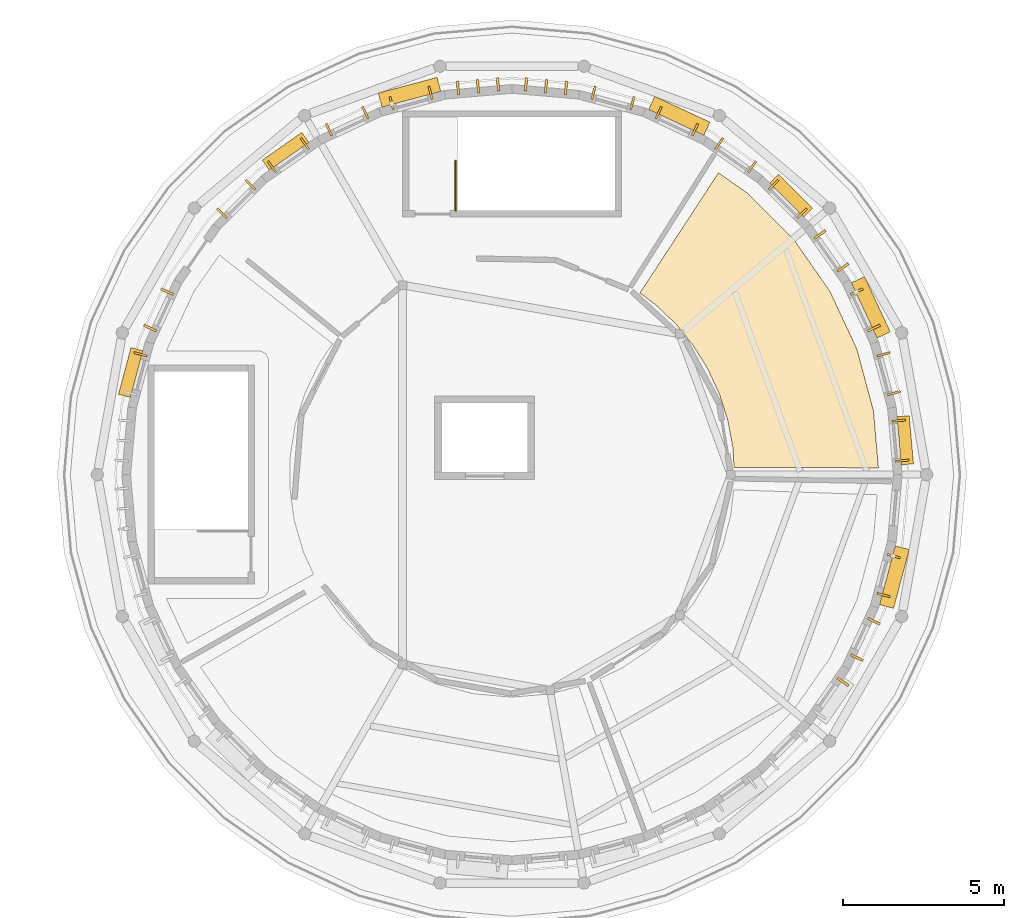
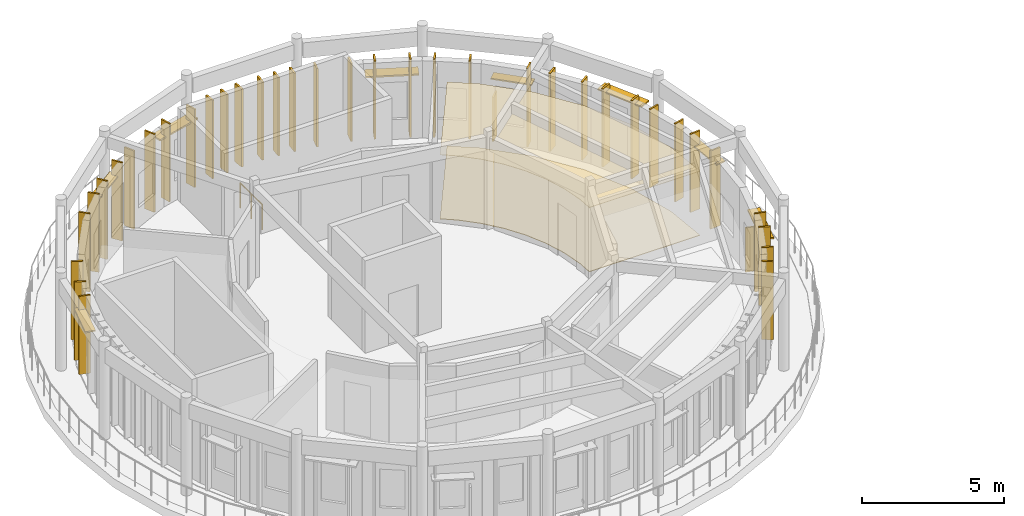
# One storey, part 14 of 14: 46 shading devices, 2 coverings, 1 railing.
"""IFC4 building model written with IfcOpenShell, lengths in metres."""

import ifcopenshell
import ifcopenshell.guid

model = None  # the IFC model being written
_history = None  # IfcOwnerHistory: only IFC2X3 demands one
_inside = {}  # id of a spatial element -> (the spatial element, [elements in it])
_under = {}  # id of a project, library or spatial element -> (it, [spatial elements below it])
_declared = {}  # id of a project -> (the project, [libraries it declares])
_typed = {}  # id of a type object -> (the type object, [elements of that type])
_made_of = {}  # id of a material, layer set ... -> (it, [elements and type objects made of it])


def new_model(schema):
    """Start an empty IFC model of exactly this schema.

    Asked for "IFC4X3", IfcOpenShell would pick the latest addendum, in which some entities
    have other attributes; the version numbers below select the first issue.
    IFC2X3 requires an IfcOwnerHistory on every rooted entity: one is made here for all.
    """
    global model, _history
    if schema == "IFC4X3":
        model = ifcopenshell.file(schema_version=(4, 3, 0, 0))
    else:
        model = ifcopenshell.file(schema=schema)
    _inside.clear()
    _under.clear()
    _declared.clear()
    _typed.clear()
    _made_of.clear()
    _history = None
    if model.schema == "IFC2X3":
        org = make("IfcOrganization", Name="unknown")
        user = make(
            "IfcPersonAndOrganization",
            ThePerson=make("IfcPerson", FamilyName="unknown"),
            TheOrganization=org,
        )
        app = make(
            "IfcApplication",
            ApplicationDeveloper=org,
            Version="unknown",
            ApplicationFullName="unknown",
            ApplicationIdentifier="unknown",
        )
        _history = make(
            "IfcOwnerHistory",
            OwningUser=user,
            OwningApplication=app,
            ChangeAction="ADDED",
            CreationDate=0,
        )
    return model


def make(cls, **values):
    """One entity of the class cls with the attributes given. An attribute that is None is left unset."""
    return model.create_entity(
        cls, **{name: value for name, value in values.items() if value is not None}
    )


def rooted(cls, **values):
    """An entity with a GlobalId (a new one), such as an element, a storey or a relation."""
    return make(cls, GlobalId=ifcopenshell.guid.new(), OwnerHistory=_history, **values)


def si_unit(unit_type, name, prefix=None):
    """IfcSIUnit, for example si_unit("LENGTHUNIT", "METRE", prefix="MILLI")."""
    return make("IfcSIUnit", UnitType=unit_type, Prefix=prefix, Name=name)


def assignment(units):
    """IfcUnitAssignment: the units of a project."""
    return None if units is None else make("IfcUnitAssignment", Units=units)


def point(xyz):
    """IfcCartesianPoint."""
    return None if xyz is None else make("IfcCartesianPoint", Coordinates=xyz)


def direction(xyz):
    """IfcDirection."""
    return None if xyz is None else make("IfcDirection", DirectionRatios=xyz)


def frame(location, z_axis=None, x_axis=None):
    """IfcAxis2Placement3D, a coordinate frame: its origin and axes. An axis left out is left unset."""
    return make(
        "IfcAxis2Placement3D",
        Location=point(location),
        Axis=direction(z_axis),
        RefDirection=direction(x_axis),
    )


def frame_2d(location, x_axis=None):
    """IfcAxis2Placement2D, a coordinate frame in the plane: its origin and x axis."""
    return make(
        "IfcAxis2Placement2D", Location=point(location), RefDirection=direction(x_axis)
    )


def origin():
    """The frame at (0, 0, 0) with its axes left unset."""
    return frame((0.0, 0.0, 0.0))


def origin_2d():
    """The frame at (0, 0) in the plane with its x axis left unset."""
    return frame_2d((0.0, 0.0))


def place(relative_to, where):
    """IfcLocalPlacement: puts the frame where relative to a parent placement (None: the world)."""
    return make(
        "IfcLocalPlacement", PlacementRelTo=relative_to, RelativePlacement=where
    )


def context(
    kind, dimensions, precision=None, world=None, true_north=None, identifier=None
):
    """IfcGeometricRepresentationContext, for example the 3D "Model" context."""
    return make(
        "IfcGeometricRepresentationContext",
        ContextIdentifier=identifier,
        ContextType=kind,
        CoordinateSpaceDimension=dimensions,
        Precision=precision,
        WorldCoordinateSystem=world,
        TrueNorth=true_north,
    )


def subcontext(parent, identifier, kind, view, scale=None):
    """IfcGeometricRepresentationSubContext, for example "Body" below "Model"."""
    return make(
        "IfcGeometricRepresentationSubContext",
        ContextIdentifier=identifier,
        ContextType=kind,
        ParentContext=parent,
        TargetScale=scale,
        TargetView=view,
    )


def project(units=None, contexts=None):
    """IfcProject with its units and contexts."""
    return rooted(
        "IfcProject",
        Name="project",
        RepresentationContexts=contexts,
        UnitsInContext=assignment(units),
    )


def spatial(cls, under=None, at=None, **own):
    """A site, building, storey or space (cls), placed at a placement, below another one or the project."""
    s = rooted(cls, ObjectPlacement=at, **own)
    if under is not None:
        _under.setdefault(under.id(), (under, []))[1].append(s)
    return s


def polyline(points):
    """IfcPolyline through the points."""
    return make("IfcPolyline", Points=[point(p) for p in points])


def profile(cls, at=None, kind="AREA", **sizes):
    """A parametric profile (cls). Its sizes go by their IFC names, for example OverallWidth=200.0."""
    return make(cls, ProfileType=kind, Position=at, **sizes)


def rectangle(**sizes):
    """IfcRectangleProfileDef."""
    return profile("IfcRectangleProfileDef", **sizes)


def circle(**sizes):
    """IfcCircleProfileDef."""
    return profile("IfcCircleProfileDef", **sizes)


def outline(outer, holes=None, kind="AREA"):
    """IfcArbitraryClosedProfileDef: a profile drawn as a closed curve; with holes, ...WithVoids."""
    if holes is None:
        return make("IfcArbitraryClosedProfileDef", ProfileType=kind, OuterCurve=outer)
    return make(
        "IfcArbitraryProfileDefWithVoids",
        ProfileType=kind,
        OuterCurve=outer,
        InnerCurves=holes,
    )


def extrude(swept, where, along, depth):
    """IfcExtrudedAreaSolid: the profile swept, set in the frame where, extruded along a direction by depth."""
    return make(
        "IfcExtrudedAreaSolid",
        SweptArea=swept,
        Position=where,
        ExtrudedDirection=direction(along),
        Depth=depth,
    )


def shape(context_of_items, identifier, shape_type, items):
    """IfcShapeRepresentation: the items that make up one representation, for example the "Body"."""
    return make(
        "IfcShapeRepresentation",
        ContextOfItems=context_of_items,
        RepresentationIdentifier=identifier,
        RepresentationType=shape_type,
        Items=items,
    )


def material(Name=None, Category=None):
    """IfcMaterial."""
    return make("IfcMaterial", Name=Name, Category=Category)


def layer(
    of_material, thickness, ventilated=None, Name=None, Category=None, Priority=None
):
    """IfcMaterialLayer: one layer of a wall or slab, of a material (None: an air gap)."""
    return make(
        "IfcMaterialLayer",
        Material=of_material,
        LayerThickness=thickness,
        IsVentilated=ventilated,
        Name=Name,
        Category=Category,
        Priority=Priority,
    )


def layer_set(layers, Name=None):
    """IfcMaterialLayerSet."""
    return make("IfcMaterialLayerSet", MaterialLayers=layers, LayerSetName=Name)


def made_of(thing, what):
    """Note that an element or type object is made of a material, layer set ...; save() writes the relation."""
    if what is not None:
        _made_of.setdefault(what.id(), (what, []))[1].append(thing)
    return thing


def type_object(cls, material=None, **own):
    """A type object (cls), such as IfcWallType, which elements share."""
    return made_of(rooted(cls, **own), material)


def element(
    cls,
    number,
    at=None,
    inside=None,
    cuts=None,
    type_object=None,
    material=None,
    context=None,
    identifier="Body",
    shape_type=None,
    held_by="IfcProductDefinitionShape",
    body=None,
    shapes=None,
    **own,
):
    """One element of the class cls, such as IfcWall. Its Tag is "e" and its number.

    at: its placement. inside: the storey or other place that contains it. cuts: it is an
    opening in that element (IfcRelVoidsElement). A single representation is given by context,
    identifier, shape_type and body (its items); several are given by shapes. held_by: the class
    of the entity that holds the representations. save() writes the other relations.
    """
    e = rooted(cls, Tag="e%d" % number, ObjectPlacement=at, **own)
    if body is not None:
        shapes = [shape(context, identifier, shape_type, body)]
    if shapes is not None:
        e.Representation = make(held_by, Representations=shapes)
    if inside is not None:
        _inside.setdefault(inside.id(), (inside, []))[1].append(e)
    if cuts is not None:
        rooted(
            "IfcRelVoidsElement", RelatingBuildingElement=cuts, RelatedOpeningElement=e
        )
    if type_object is not None:
        _typed.setdefault(type_object.id(), (type_object, []))[1].append(e)
    return made_of(e, material)


def aggregate(whole, parts):
    """IfcRelAggregates: a whole, such as a stair, and the parts it consists of."""
    return rooted("IfcRelAggregates", RelatingObject=whole, RelatedObjects=parts)


def save(model, path):
    """Write the relations noted so far, then the file.

    IfcRelAggregates (storeys below a building ...), IfcRelContainedInSpatialStructure (elements
    in a storey), IfcRelDefinesByType, IfcRelAssociatesMaterial and IfcRelDeclares: one each for
    every whole, place, type object, material and project.
    """
    for whole, parts in _under.values():
        aggregate(whole, parts)
    for where, things in _inside.values():
        rooted(
            "IfcRelContainedInSpatialStructure",
            RelatedElements=things,
            RelatingStructure=where,
        )
    for kind, things in _typed.values():
        rooted("IfcRelDefinesByType", RelatedObjects=things, RelatingType=kind)
    for what, things in _made_of.values():
        rooted("IfcRelAssociatesMaterial", RelatedObjects=things, RelatingMaterial=what)
    for by, libraries in _declared.values():
        rooted("IfcRelDeclares", RelatingContext=by, RelatedDefinitions=libraries)
    model.write(path)


model = new_model("IFC4")

# Units and contexts
model_context = context("Model", 3, precision=1e-05, world=origin(), true_north=direction((0.0, 1.0)))
body_context = subcontext(model_context, "Body", "Model", "MODEL_VIEW")
ifc_project = project(units=[si_unit("LENGTHUNIT", "METRE"), si_unit("AREAUNIT", "SQUARE_METRE"), si_unit("VOLUMEUNIT", "CUBIC_METRE"), si_unit("PLANEANGLEUNIT", "RADIAN"), si_unit("MASSUNIT", "GRAM", prefix="KILO")], contexts=[model_context])

# Site, building, storey
site_placement = place(None, origin())
site = spatial("IfcSite", under=ifc_project, at=site_placement, CompositionType="ELEMENT")
building_placement = place(site_placement, origin())
building = spatial("IfcBuilding", under=site, at=building_placement, Name="Aldenvaro Health Centre", CompositionType="ELEMENT")
storey_placement = place(building_placement, frame((0.0, 0.0, 21.35009765625)))
storey = spatial("IfcBuildingStorey", under=building, at=storey_placement, Name="L05", CompositionType="ELEMENT", Elevation=21.35009765625)

# Coverings
ifc_material_1 = material(Name="Antimicrobial Mineral Fibre Ceiling")
ifc_layer_1 = layer(ifc_material_1, 0.01806640625, Name="Antimicrobial Mineral Fibre Ceiling")
ifc_layer_set_1 = layer_set([ifc_layer_1], Name="Antimicrobial Mineral Fibre Ceiling")
covering_type_1 = type_object("IfcCoveringType", Name="COV-CLG-ACT18", PredefinedType="CEILING", material=ifc_layer_set_1)
covering_1_placement = place(storey_placement, frame((0.0, 0.0, 2.75)))
element("IfcCovering", 1, at=covering_1_placement, inside=storey, type_object=covering_type_1, Name="D4-L05-R04 Suspended Ceiling", PredefinedType="CEILING", context=body_context, shape_type="SweptSolid", body=[
    extrude(outline(polyline([(25.360107421875, 100.324951171875), (25.35595703125, 100.35498046875), (25.205078125, 101.1689453125), (25.197998046875, 101.197998046875), (24.946044921875, 101.988037109375), (24.93505859375, 102.014892578125), (24.587890625, 102.76806640625), (24.573974609375, 102.7939453125), (24.135986328125, 103.4970703125), (24.118896484375, 103.52099609375), (23.596923828125, 104.1650390625), (23.576904296875, 104.18701171875), (22.97900390625, 104.760986328125), (22.9560546875, 104.780029296875), (22.472900390625, 105.14111328125), (24.912109375, 108.873046875), (25.825927734375, 108.23193359375), (27.23193359375, 106.825927734375), (28.3720703125, 105.198974609375), (29.2109375, 103.39794921875), (29.72607421875, 101.47900390625), (29.8798828125, 99.7119140625), (25.39599609375, 99.722900390625), (25.360107421875, 100.324951171875)])), origin(), (0.0, 0.0, 1.0), 0.017822265625),
])
ifc_material_2 = material(Name="Polished Epoxy Terrazzo Flooring")
ifc_layer_2 = layer(ifc_material_2, 0.02197265625, Name="Polished Epoxy Terrazzo Flooring")
ifc_layer_set_2 = layer_set([ifc_layer_2], Name="Polished Epoxy Terrazzo Flooring")
covering_type_2 = type_object("IfcCoveringType", Name="COV-FLR-TER22", PredefinedType="FLOORING", material=ifc_layer_set_2)
covering_2_placement = place(storey_placement, origin())
element("IfcCovering", 2, at=covering_2_placement, inside=storey, type_object=covering_type_2, Name="D4-L05-R04 Flooring", PredefinedType="FLOORING", context=body_context, shape_type="SweptSolid", body=[
    extrude(outline(polyline([(25.360107421875, 100.324951171875), (25.35595703125, 100.35498046875), (25.205078125, 101.1689453125), (25.197998046875, 101.197998046875), (24.946044921875, 101.988037109375), (24.93505859375, 102.014892578125), (24.587890625, 102.76806640625), (24.573974609375, 102.7939453125), (24.135986328125, 103.4970703125), (24.118896484375, 103.52099609375), (23.596923828125, 104.1650390625), (23.576904296875, 104.18701171875), (22.97900390625, 104.760986328125), (22.9560546875, 104.780029296875), (22.472900390625, 105.14111328125), (24.912109375, 108.873046875), (25.825927734375, 108.23193359375), (27.23193359375, 106.825927734375), (28.3720703125, 105.198974609375), (29.2109375, 103.39794921875), (29.72607421875, 101.47900390625), (29.8798828125, 99.7119140625), (25.39599609375, 99.722900390625), (25.360107421875, 100.324951171875)])), origin(), (0.0, 0.0, 1.0), 0.02197265625),
])

# Railing
ifc_material_3 = material(Name="Painted Architectural Steel", Category="steel")
railing_type = type_object("IfcRailingType", Name="RL-BAL-INT", PredefinedType="BALUSTRADE", material=ifc_material_3)
railing_placement = place(storey_placement, frame((16.75, 107.699951171875, 0.0)))
element("IfcRailing", 3, at=railing_placement, inside=storey, type_object=railing_type, Name="L05 ST-07 top well guard 1", PredefinedType="BALUSTRADE", context=body_context, shape_type="SweptSolid", body=[
    extrude(circle(Radius=0.02392578125, at=origin_2d()), frame((0.0, 0.0, 1.076171875), z_axis=(0.0, 1.0, 0.0), x_axis=(-1.0, 0.0, 0.0)), (0.0, 0.0, 1.0), 1.550048828125),
    extrude(circle(Radius=0.02099609375, at=origin_2d()), origin(), (0.0, 0.0, 1.0), 1.052001953125),
    extrude(circle(Radius=0.02099609375, at=origin_2d()), frame((0.0, 0.77490234375, 0.0)), (0.0, 0.0, 1.0), 1.052001953125),
    extrude(circle(Radius=0.02099609375, at=origin_2d()), frame((0.0, 1.550048828125, 0.0)), (0.0, 0.0, 1.0), 1.052001953125),
])

# Shading devices
ifc_material_4 = material(Name="Douglas Fir Exterior Glulam GL28h", Category="wood")
shading_device_type_1 = type_object("IfcShadingDeviceType", Name="SHD-FIN-190", PredefinedType="USERDEFINED", material=ifc_material_4)
for number, where, z_axis, x_axis, name in (
    (4, (30.35791015625, 96.968994140625, -0.02001953125), (0.0, 0.0, 1.0), (-0.258616389055, -0.965980105029, 0.0), "D4 L05 Douglas fir fin 1.1"),
    (5, (26.6220703125, 108.50390625, -0.02001953125), (0.0, 0.0, 1.0), (0.707106781187, -0.707106781187, 0.0), "D4 L05 Douglas fir fin 31.1"),
):
    element("IfcShadingDevice", number, at=place(storey_placement, frame(where, z_axis=z_axis, x_axis=x_axis)), inside=storey, type_object=shading_device_type_1, Name=name, ObjectType="FIN", PredefinedType="USERDEFINED", context=body_context, shape_type="SweptSolid", body=[
        extrude(rectangle(XDim=0.06494140625, YDim=0.419921875, at=origin_2d()), origin(), (0.0, 0.0, 1.0), 1.89990234375),
    ])
shading_device_type_2 = type_object("IfcShadingDeviceType", Name="SHD-FIN-340", PredefinedType="USERDEFINED", material=ifc_material_4)
for number, where, z_axis, x_axis, name in (
    (6, (28.777099609375, 93.06591796875, -0.02001953125), (0.0, 0.0, 1.0), (-0.57355873574, -0.819164438106, 0.0), "D4 L05 Douglas fir fin 3.1"),
    (7, (18.93408203125, 111.617919921875, -0.02001953125), (0.0, 0.0, 1.0), (0.996193717495, -0.087166950289, 0.0), "D4 L05 Douglas fir fin 27.1"),
    (8, (19.554931640625, 111.56298828125, -0.02001953125), (0.0, 0.0, 1.0), (0.996193717495, -0.087166950289, 0.0), "D4 L05 Douglas fir fin 27.2"),
    (9, (20.177001953125, 111.509033203125, -0.02001953125), (0.0, 0.0, 1.0), (0.996193717495, -0.087166950289, 0.0), "D4 L05 Douglas fir fin 27.3"),
    (10, (29.2109375, 105.18310546875, -0.02001953125), (0.0, 0.0, 1.0), (0.422728208301, -0.906256509994, 0.0), "D4 L05 Douglas fir fin 33.1"),
    (11, (29.739013671875, 104.052001953125, -0.02001953125), (0.0, 0.0, 1.0), (0.422728208301, -0.906256509994, 0.0), "D4 L05 Douglas fir fin 33.3"),
):
    element("IfcShadingDevice", number, at=place(storey_placement, frame(where, z_axis=z_axis, x_axis=x_axis)), inside=storey, type_object=shading_device_type_2, Name=name, ObjectType="FIN", PredefinedType="USERDEFINED", context=body_context, shape_type="SweptSolid", body=[
        extrude(rectangle(XDim=0.074951171875, YDim=0.419921875, at=origin_2d()), origin(), (0.0, 0.0, 1.0), 3.35400390625),
    ])
shading_device_type_3 = type_object("IfcShadingDeviceType", Name="SHD-FIN-380", PredefinedType="USERDEFINED", material=ifc_material_4)
for number, where, z_axis, x_axis, name in (
    (12, (29.739013671875, 94.947998046875, -0.02001953125), (0.0, 0.0, 1.0), (-0.422728208301, -0.906256509994, 0.0), "D4 L05 Douglas fir fin 2.1"),
    (13, (29.2109375, 93.81689453125, -0.02001953125), (0.0, 0.0, 1.0), (-0.422728208301, -0.906256509994, 0.0), "D4 L05 Douglas fir fin 2.3"),
    (14, (7.260986328125, 104.052001953125, -0.02001953125), (0.0, 0.0, 1.0), (0.422728208301, 0.906256509994, 0.0), "D4 L05 Douglas fir fin 20.1"),
    (15, (7.7890625, 105.18310546875, -0.02001953125), (0.0, 0.0, 1.0), (0.422728208301, 0.906256509994, 0.0), "D4 L05 Douglas fir fin 20.3"),
    (16, (16.822998046875, 111.509033203125, -0.02001953125), (0.0, 0.0, 1.0), (0.996193717495, 0.087166950289, 0.0), "D4 L05 Douglas fir fin 26.1"),
    (17, (17.445068359375, 111.56298828125, -0.02001953125), (0.0, 0.0, 1.0), (0.996193717495, 0.087166950289, 0.0), "D4 L05 Douglas fir fin 26.2"),
    (18, (18.06591796875, 111.617919921875, -0.02001953125), (0.0, 0.0, 1.0), (0.996193717495, 0.087166950289, 0.0), "D4 L05 Douglas fir fin 26.3"),
    (19, (28.06103515625, 106.95703125, -0.02001953125), (0.0, 0.0, 1.0), (0.57355873574, -0.819164438106, 0.0), "D4 L05 Douglas fir fin 32.1"),
    (20, (28.777099609375, 105.93408203125, -0.02001953125), (0.0, 0.0, 1.0), (0.57355873574, -0.819164438106, 0.0), "D4 L05 Douglas fir fin 32.3"),
):
    element("IfcShadingDevice", number, at=place(storey_placement, frame(where, z_axis=z_axis, x_axis=x_axis)), inside=storey, type_object=shading_device_type_3, Name=name, ObjectType="FIN", PredefinedType="USERDEFINED", context=body_context, shape_type="SweptSolid", body=[
        extrude(rectangle(XDim=0.074951171875, YDim=0.419921875, at=origin_2d()), origin(), (0.0, 0.0, 1.0), 3.35400390625),
    ])
shading_device_type_4 = type_object("IfcShadingDeviceType", Name="SHD-FIN-400", PredefinedType="USERDEFINED", material=ifc_material_4)
for number, where, z_axis, x_axis, name in (
    (21, (30.035888671875, 95.762939453125, -0.02001953125), (0.0, 0.0, 1.0), (-0.258616389055, -0.965980105029, 0.0), "D4 L05 Douglas fir fin 1.3"),
    (22, (6.964111328125, 103.237060546875, -0.02001953125), (0.0, 0.0, 1.0), (0.258616389055, 0.965980105029, 0.0), "D4 L05 Douglas fir fin 19.3"),
    (23, (14.762939453125, 111.035888671875, -0.02001953125), (0.0, 0.0, 1.0), (0.965980105029, 0.258616389055, 0.0), "D4 L05 Douglas fir fin 25.1"),
    (24, (15.968994140625, 111.35791015625, -0.02001953125), (0.0, 0.0, 1.0), (0.965980105029, 0.258616389055, 0.0), "D4 L05 Douglas fir fin 25.3"),
    (25, (27.50390625, 107.6220703125, -0.02001953125), (0.0, 0.0, 1.0), (0.707106781187, -0.707106781187, 0.0), "D4 L05 Douglas fir fin 31.3"),
):
    element("IfcShadingDevice", number, at=place(storey_placement, frame(where, z_axis=z_axis, x_axis=x_axis)), inside=storey, type_object=shading_device_type_4, Name=name, ObjectType="FIN", PredefinedType="USERDEFINED", context=body_context, shape_type="SweptSolid", body=[
        extrude(rectangle(XDim=0.06494140625, YDim=0.419921875, at=origin_2d()), origin(), (0.0, 0.0, 1.0), 3.35400390625),
    ])
shading_device_type_5 = type_object("IfcShadingDeviceType", Name="SHD-FIN-420", PredefinedType="USERDEFINED", material=ifc_material_4)
for number, where, z_axis, x_axis, name in (
    (26, (12.81689453125, 110.2109375, -0.02001953125), (0.0, 0.0, 1.0), (0.906256509994, 0.422728208301, 0.0), "D4 L05 Douglas fir fin 24.1"),
    (27, (13.947998046875, 110.739013671875, -0.02001953125), (0.0, 0.0, 1.0), (0.906256509994, 0.422728208301, 0.0), "D4 L05 Douglas fir fin 24.3"),
    (28, (24.93408203125, 109.777099609375, -0.02001953125), (0.0, 0.0, 1.0), (0.819164438106, -0.57355873574, 0.0), "D4 L05 Douglas fir fin 30.1"),
    (29, (25.95703125, 109.06103515625, -0.02001953125), (0.0, 0.0, 1.0), (0.819164438106, -0.57355873574, 0.0), "D4 L05 Douglas fir fin 30.3"),
):
    element("IfcShadingDevice", number, at=place(storey_placement, frame(where, z_axis=z_axis, x_axis=x_axis)), inside=storey, type_object=shading_device_type_5, Name=name, ObjectType="FIN", PredefinedType="USERDEFINED", context=body_context, shape_type="SweptSolid", body=[
        extrude(rectangle(XDim=0.06494140625, YDim=0.419921875, at=origin_2d()), origin(), (0.0, 0.0, 1.0), 3.35400390625),
    ])
shading_device_type_6 = type_object("IfcShadingDeviceType", Name="SHD-FIN-435", PredefinedType="USERDEFINED", material=ifc_material_4)
for number, where, z_axis, x_axis, name in (
    (30, (11.04296875, 109.06103515625, -0.02001953125), (0.0, 0.0, 1.0), (0.819164438106, 0.57355873574, 0.0), "D4 L05 Douglas fir fin 23.1"),
    (31, (12.06591796875, 109.777099609375, -0.02001953125), (0.0, 0.0, 1.0), (0.819164438106, 0.57355873574, 0.0), "D4 L05 Douglas fir fin 23.3"),
    (32, (23.052001953125, 110.739013671875, -0.02001953125), (0.0, 0.0, 1.0), (0.906256509994, -0.422728208301, 0.0), "D4 L05 Douglas fir fin 29.1"),
    (33, (24.18310546875, 110.2109375, -0.02001953125), (0.0, 0.0, 1.0), (0.906256509994, -0.422728208301, 0.0), "D4 L05 Douglas fir fin 29.3"),
    (34, (30.509033203125, 101.177001953125, -0.02001953125), (0.0, 0.0, 1.0), (0.087166950289, -0.996193717495, 0.0), "D4 L05 Douglas fir fin 35.1"),
    (35, (30.617919921875, 99.93408203125, -0.02001953125), (0.0, 0.0, 1.0), (0.087166950289, -0.996193717495, 0.0), "D4 L05 Douglas fir fin 35.3"),
):
    element("IfcShadingDevice", number, at=place(storey_placement, frame(where, z_axis=z_axis, x_axis=x_axis)), inside=storey, type_object=shading_device_type_6, Name=name, ObjectType="FIN", PredefinedType="USERDEFINED", context=body_context, shape_type="SweptSolid", body=[
        extrude(rectangle(XDim=0.06494140625, YDim=0.419921875, at=origin_2d()), origin(), (0.0, 0.0, 1.0), 3.35400390625),
    ])
shading_device_type_7 = type_object("IfcShadingDeviceType", Name="SHD-FIN-455", PredefinedType="USERDEFINED", material=ifc_material_4)
for number, where, z_axis, x_axis, name in (
    (36, (9.49609375, 107.6220703125, -0.02001953125), (0.0, 0.0, 1.0), (0.707106781187, 0.707106781187, 0.0), "D4 L05 Douglas fir fin 22.1"),
    (37, (10.3779296875, 108.50390625, -0.02001953125), (0.0, 0.0, 1.0), (0.707106781187, 0.707106781187, 0.0), "D4 L05 Douglas fir fin 22.3"),
    (38, (21.031005859375, 111.35791015625, -0.02001953125), (0.0, 0.0, 1.0), (0.965980105029, -0.258616389055, 0.0), "D4 L05 Douglas fir fin 28.1"),
    (39, (22.237060546875, 111.035888671875, -0.02001953125), (0.0, 0.0, 1.0), (0.965980105029, -0.258616389055, 0.0), "D4 L05 Douglas fir fin 28.3"),
    (40, (30.035888671875, 103.237060546875, -0.02001953125), (0.0, 0.0, 1.0), (0.258616389055, -0.965980105029, 0.0), "D4 L05 Douglas fir fin 34.1"),
    (41, (30.35791015625, 102.031005859375, -0.02001953125), (0.0, 0.0, 1.0), (0.258616389055, -0.965980105029, 0.0), "D4 L05 Douglas fir fin 34.3"),
):
    element("IfcShadingDevice", number, at=place(storey_placement, frame(where, z_axis=z_axis, x_axis=x_axis)), inside=storey, type_object=shading_device_type_7, Name=name, ObjectType="FIN", PredefinedType="USERDEFINED", context=body_context, shape_type="SweptSolid", body=[
        extrude(rectangle(XDim=0.06494140625, YDim=0.419921875, at=origin_2d()), origin(), (0.0, 0.0, 1.0), 3.35400390625),
    ])
shading_device_type_8 = type_object("IfcShadingDeviceType", Name="SHD-LVR-150", PredefinedType="JALOUSIE", material=ifc_material_4)
for number, where, z_axis, x_axis, name in (
    (42, (6.657958984375, 102.673095703125, 2.70263671875), (0.0, 0.0, 1.0), (0.258616389055, 0.965980105029, 0.0), "D4 L05 horizontal solar louvre 19"),
    (43, (11.468017578125, 109.5419921875, 2.65234375), (0.0, 0.0, 1.0), (0.819164438106, 0.57355873574, 0.0), "D4 L05 horizontal solar louvre 23"),
    (44, (27.1689453125, 108.1689453125, 2.50244140625), (0.0, 0.0, 1.0), (0.707106781187, -0.707106781187, 0.0), "D4 L05 horizontal solar louvre 31"),
    (45, (30.712890625, 100.568115234375, 2.70263671875), (0.0, 0.0, 1.0), (0.087166950289, -0.996193717495, 0.0), "D4 L05 horizontal solar louvre 35"),
):
    element("IfcShadingDevice", number, at=place(storey_placement, frame(where, z_axis=z_axis, x_axis=x_axis)), inside=storey, type_object=shading_device_type_8, Name=name, PredefinedType="JALOUSIE", context=body_context, shape_type="SweptSolid", body=[
        extrude(rectangle(XDim=1.5, YDim=0.3798828125, at=origin_2d()), origin(), (0.0, 0.0, 1.0), 0.054931640625),
    ])
shading_device_type_9 = type_object("IfcShadingDeviceType", Name="SHD-LVR-190", PredefinedType="JALOUSIE", material=ifc_material_4)
for number, where, z_axis, x_axis, name in (
    (46, (30.3759765625, 96.318115234375, 2.347412109375), (0.0, 0.0, 1.0), (-0.258616389055, -0.965980105029, 0.0), "D4 L05 horizontal solar louvre 01"),
    (47, (15.318115234375, 111.3759765625, 2.6474609375), (0.0, 0.0, 1.0), (0.965980105029, 0.258616389055, 0.0), "D4 L05 horizontal solar louvre 25"),
):
    element("IfcShadingDevice", number, at=place(storey_placement, frame(where, z_axis=z_axis, x_axis=x_axis)), inside=storey, type_object=shading_device_type_9, Name=name, PredefinedType="JALOUSIE", context=body_context, shape_type="SweptSolid", body=[
        extrude(rectangle(XDim=1.887939453125, YDim=0.449951171875, at=origin_2d()), origin(), (0.0, 0.0, 1.0), 0.06494140625),
    ])
for number, where, z_axis, x_axis, name in (
    (48, (23.695068359375, 110.64306640625, 2.497314453125), (0.0, 0.0, 1.0), (0.906256509994, -0.422728208301, 0.0), "D4 L05 horizontal solar louvre 29"),
    (49, (29.64306640625, 104.696044921875, 3.04736328125), (0.0, 0.0, 1.0), (0.422728208301, -0.906256509994, 0.0), "D4 L05 horizontal solar louvre 33"),
):
    element("IfcShadingDevice", number, at=place(storey_placement, frame(where, z_axis=z_axis, x_axis=x_axis)), inside=storey, type_object=shading_device_type_9, Name=name, PredefinedType="JALOUSIE", context=body_context, shape_type="SweptSolid", body=[
        extrude(rectangle(XDim=1.888916015625, YDim=0.449951171875, at=origin_2d()), origin(), (0.0, 0.0, 1.0), 0.06494140625),
    ])

save(model, "model.ifc")
